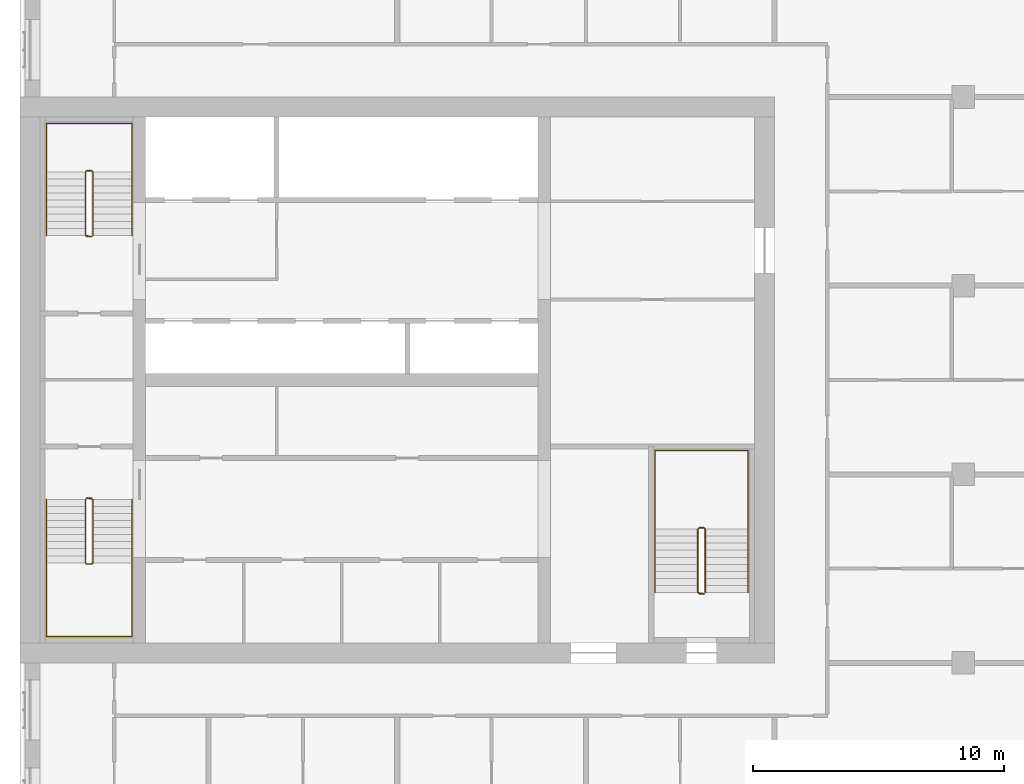
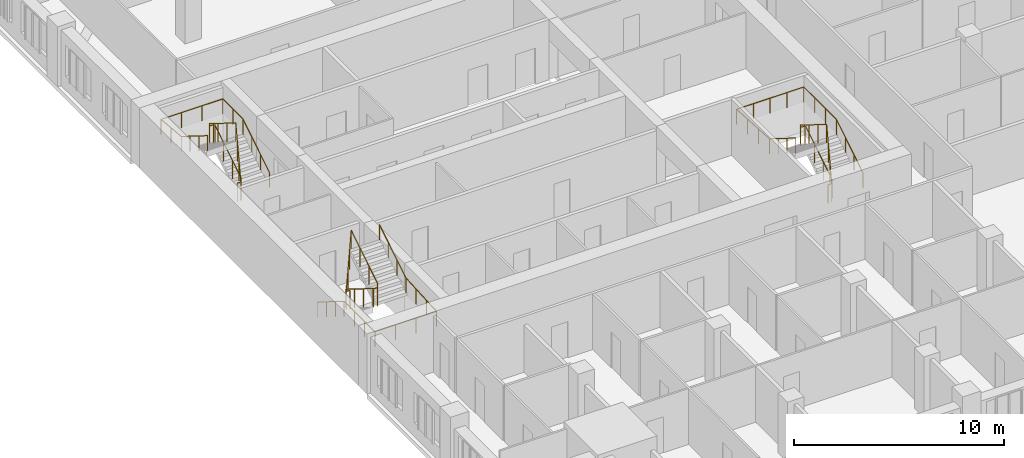
# One storey, part 14 of 14: 6 railings.
"""IFC4 building model written with IfcOpenShell, lengths in metres."""

from ifc_helpers import new_model, si_unit, direction, frame, origin, origin_2d, place, context, subcontext, project, spatial, circle, extrude, material, type_object, element, save


model = new_model("IFC4")

# Units and contexts
model_context = context("Model", 3, precision=1e-05, world=origin(), true_north=direction((0.0, 1.0)))
body_context = subcontext(model_context, "Body", "Model", "MODEL_VIEW")
ifc_project = project(units=[si_unit("LENGTHUNIT", "METRE"), si_unit("AREAUNIT", "SQUARE_METRE"), si_unit("VOLUMEUNIT", "CUBIC_METRE"), si_unit("PLANEANGLEUNIT", "RADIAN"), si_unit("MASSUNIT", "GRAM", prefix="KILO")], contexts=[model_context])

# Site, building, storey
site_placement = place(None, origin())
site = spatial("IfcSite", under=ifc_project, at=site_placement, CompositionType="ELEMENT")
building_placement = place(site_placement, origin())
building = spatial("IfcBuilding", under=site, at=building_placement, Name="Tamorin Gate", CompositionType="ELEMENT")
storey_placement = place(building_placement, frame((0.0, 0.0, 186.199951171875)))
storey = spatial("IfcBuildingStorey", under=building, at=storey_placement, Name="L45", CompositionType="ELEMENT", Elevation=186.199951171875)

# Railings
ifc_material_1 = material(Name="Painted steel balustrade", Category="steel")
railing_type_1 = type_object("IfcRailingType", Name="Stair guard 1100", PredefinedType="GUARDRAIL", material=ifc_material_1)
railing_1_placement = place(storey_placement, frame((32.60009765625, 66.5, 0.175048828125)))
element("IfcRailing", 1, at=railing_1_placement, inside=storey, type_object=railing_type_1, Name="L45 ST1 stair guard 1", PredefinedType="GUARDRAIL", context=body_context, shape_type="SweptSolid", body=[
    extrude(circle(Radius=0.02392578125, at=origin_2d()), frame((0.0, 0.0, 1.076171875), z_axis=(0.0, -0.848007534815, 0.529984170421), x_axis=(1.0, 0.0, 0.0)), (0.0, 0.0, 1.0), 2.9716796875),
    extrude(circle(Radius=0.02392578125, at=origin_2d()), frame((0.0, -2.52001953125, 2.65087890625), z_axis=(0.705375805398, -0.708833529934, 0.0), x_axis=(0.708833529934, 0.705375805398, 0.0)), (0.0, 0.0, 1.0), 0.070556640625),
    extrude(circle(Radius=0.02392578125, at=origin_2d()), frame((0.0498046875, -2.570068359375, 2.65087890625), z_axis=(1.0, 0.0, 0.0), x_axis=(0.0, 1.0, 0.0)), (0.0, 0.0, 1.0), 0.2001953125),
    extrude(circle(Radius=0.02392578125, at=origin_2d()), frame((0.25, -2.570068359375, 2.65087890625), z_axis=(0.263862480399, 0.265155923931, 0.927399011991), x_axis=(-0.708833529934, 0.705375805398, 0.0)), (0.0, 0.0, 1.0), 0.188720703125),
    extrude(circle(Radius=0.02392578125, at=origin_2d()), frame((0.2998046875, -2.52001953125, 2.826171875), z_axis=(0.0, 0.848007534815, 0.529984170421), x_axis=(-1.0, 0.0, 0.0)), (0.0, 0.0, 1.0), 2.9716796875),
    extrude(circle(Radius=0.02392578125, at=origin_2d()), frame((0.2998046875, 0.0, 4.40087890625), z_axis=(-0.071239803756, 0.014261874775, -0.997357252587), x_axis=(-0.196300278283, -0.98054382908, 0.0)), (0.0, 0.0, 1.0), 3.50927734375),
    extrude(circle(Radius=0.02392578125, at=origin_2d()), frame((0.0498046875, 0.050048828125, 0.90087890625), z_axis=(1.0, 0.0, 0.0), x_axis=(0.0, 1.0, 0.0)), (0.0, 0.0, 1.0), 0.2001953125),
    extrude(circle(Radius=0.02099609375, at=origin_2d()), origin(), (0.0, 0.0, 1.0), 1.052001953125),
    extrude(circle(Radius=0.02099609375, at=origin_2d()), frame((0.0, -0.840087890625, 0.52490234375)), (0.0, 0.0, 1.0), 1.052001953125),
    extrude(circle(Radius=0.02099609375, at=origin_2d()), frame((0.0, -1.679931640625, 1.050048828125)), (0.0, 0.0, 1.0), 1.052001953125),
    extrude(circle(Radius=0.02099609375, at=origin_2d()), frame((0.0, -2.52001953125, 1.574951171875)), (0.0, 0.0, 1.0), 1.052001953125),
    extrude(circle(Radius=0.02099609375, at=origin_2d()), frame((0.0498046875, -2.570068359375, 1.574951171875)), (0.0, 0.0, 1.0), 1.052001953125),
    extrude(circle(Radius=0.02099609375, at=origin_2d()), frame((0.25, -2.570068359375, 1.574951171875)), (0.0, 0.0, 1.0), 1.052001953125),
    extrude(circle(Radius=0.02099609375, at=origin_2d()), frame((0.2998046875, -2.52001953125, 1.75)), (0.0, 0.0, 1.0), 1.052001953125),
    extrude(circle(Radius=0.02099609375, at=origin_2d()), frame((0.2998046875, -1.679931640625, 2.27490234375)), (0.0, 0.0, 1.0), 1.052001953125),
    extrude(circle(Radius=0.02099609375, at=origin_2d()), frame((0.2998046875, -0.840087890625, 2.800048828125)), (0.0, 0.0, 1.0), 1.052001953125),
    extrude(circle(Radius=0.02099609375, at=origin_2d()), frame((0.2998046875, 0.0, 3.324951171875)), (0.0, 0.0, 1.0), 1.052001953125),
    extrude(circle(Radius=0.02099609375, at=origin_2d()), frame((0.216552734375, 0.0166015625, 2.158203125)), (0.0, 0.0, 1.0), 1.052001953125),
    extrude(circle(Radius=0.02099609375, at=origin_2d()), frame((0.133056640625, 0.033447265625, 0.99169921875)), (0.0, 0.0, 1.0), 1.052001953125),
    extrude(circle(Radius=0.02099609375, at=origin_2d()), frame((0.0498046875, 0.050048828125, -0.175048828125)), (0.0, 0.0, 1.0), 1.052001953125),
    extrude(circle(Radius=0.02099609375, at=origin_2d()), frame((0.25, 0.050048828125, -0.175048828125)), (0.0, 0.0, 1.0), 1.052001953125),
])
railing_2_placement = place(storey_placement, frame((32.89990234375, 77.0, 0.175048828125)))
element("IfcRailing", 2, at=railing_2_placement, inside=storey, type_object=railing_type_1, Name="L45 ST2 stair guard 1", PredefinedType="GUARDRAIL", context=body_context, shape_type="SweptSolid", body=[
    extrude(circle(Radius=0.02392578125, at=origin_2d()), frame((0.0, 0.0, 1.076171875), z_axis=(0.0, 0.848007534815, 0.529984170421), x_axis=(-1.0, 0.0, 0.0)), (0.0, 0.0, 1.0), 2.9716796875),
    extrude(circle(Radius=0.02392578125, at=origin_2d()), frame((0.0, 2.52001953125, 2.65087890625), z_axis=(-0.705375805398, 0.708833529934, 0.0), x_axis=(-0.708833529934, -0.705375805398, 0.0)), (0.0, 0.0, 1.0), 0.070556640625),
    extrude(circle(Radius=0.02392578125, at=origin_2d()), frame((-0.0498046875, 2.570068359375, 2.65087890625), z_axis=(-1.0, 0.0, 0.0), x_axis=(0.0, -1.0, 0.0)), (0.0, 0.0, 1.0), 0.2001953125),
    extrude(circle(Radius=0.02392578125, at=origin_2d()), frame((-0.25, 2.570068359375, 2.65087890625), z_axis=(-0.263862480399, -0.265155923931, 0.927399011991), x_axis=(0.708833529934, -0.705375805398, 0.0)), (0.0, 0.0, 1.0), 0.188720703125),
    extrude(circle(Radius=0.02392578125, at=origin_2d()), frame((-0.2998046875, 2.52001953125, 2.826171875), z_axis=(0.0, -0.848007534815, 0.529984170421), x_axis=(1.0, 0.0, 0.0)), (0.0, 0.0, 1.0), 2.9716796875),
    extrude(circle(Radius=0.02392578125, at=origin_2d()), frame((-0.2998046875, 0.0, 4.40087890625), z_axis=(0.071239803756, -0.014261874775, -0.997357252587), x_axis=(0.196300278283, 0.98054382908, 0.0)), (0.0, 0.0, 1.0), 3.50927734375),
    extrude(circle(Radius=0.02392578125, at=origin_2d()), frame((-0.0498046875, -0.050048828125, 0.90087890625), z_axis=(-1.0, 0.0, 0.0), x_axis=(0.0, -1.0, 0.0)), (0.0, 0.0, 1.0), 0.2001953125),
    extrude(circle(Radius=0.02099609375, at=origin_2d()), origin(), (0.0, 0.0, 1.0), 1.052001953125),
    extrude(circle(Radius=0.02099609375, at=origin_2d()), frame((0.0, 0.840087890625, 0.52490234375)), (0.0, 0.0, 1.0), 1.052001953125),
    extrude(circle(Radius=0.02099609375, at=origin_2d()), frame((0.0, 1.679931640625, 1.050048828125)), (0.0, 0.0, 1.0), 1.052001953125),
    extrude(circle(Radius=0.02099609375, at=origin_2d()), frame((0.0, 2.52001953125, 1.574951171875)), (0.0, 0.0, 1.0), 1.052001953125),
    extrude(circle(Radius=0.02099609375, at=origin_2d()), frame((-0.0498046875, 2.570068359375, 1.574951171875)), (0.0, 0.0, 1.0), 1.052001953125),
    extrude(circle(Radius=0.02099609375, at=origin_2d()), frame((-0.25, 2.570068359375, 1.574951171875)), (0.0, 0.0, 1.0), 1.052001953125),
    extrude(circle(Radius=0.02099609375, at=origin_2d()), frame((-0.2998046875, 2.52001953125, 1.75)), (0.0, 0.0, 1.0), 1.052001953125),
    extrude(circle(Radius=0.02099609375, at=origin_2d()), frame((-0.2998046875, 1.679931640625, 2.27490234375)), (0.0, 0.0, 1.0), 1.052001953125),
    extrude(circle(Radius=0.02099609375, at=origin_2d()), frame((-0.2998046875, 0.840087890625, 2.800048828125)), (0.0, 0.0, 1.0), 1.052001953125),
    extrude(circle(Radius=0.02099609375, at=origin_2d()), frame((-0.2998046875, 0.0, 3.324951171875)), (0.0, 0.0, 1.0), 1.052001953125),
    extrude(circle(Radius=0.02099609375, at=origin_2d()), frame((-0.216552734375, -0.0166015625, 2.158203125)), (0.0, 0.0, 1.0), 1.052001953125),
    extrude(circle(Radius=0.02099609375, at=origin_2d()), frame((-0.133056640625, -0.033447265625, 0.99169921875)), (0.0, 0.0, 1.0), 1.052001953125),
    extrude(circle(Radius=0.02099609375, at=origin_2d()), frame((-0.0498046875, -0.050048828125, -0.175048828125)), (0.0, 0.0, 1.0), 1.052001953125),
    extrude(circle(Radius=0.02099609375, at=origin_2d()), frame((-0.25, -0.050048828125, -0.175048828125)), (0.0, 0.0, 1.0), 1.052001953125),
])
railing_3_placement = place(storey_placement, frame((57.25, 62.800048828125, 0.175048828125)))
element("IfcRailing", 3, at=railing_3_placement, inside=storey, type_object=railing_type_1, Name="L45 ST3 stair guard 1", PredefinedType="GUARDRAIL", context=body_context, shape_type="SweptSolid", body=[
    extrude(circle(Radius=0.02392578125, at=origin_2d()), frame((0.0, 0.0, 1.076171875), z_axis=(0.0, 0.848007534815, 0.529984170421), x_axis=(-1.0, 0.0, 0.0)), (0.0, 0.0, 1.0), 2.9716796875),
    extrude(circle(Radius=0.02392578125, at=origin_2d()), frame((0.0, 2.52001953125, 2.65087890625), z_axis=(-0.707106781187, 0.707106781187, 0.0), x_axis=(-0.707106781187, -0.707106781187, 0.0)), (0.0, 0.0, 1.0), 0.07080078125),
    extrude(circle(Radius=0.02392578125, at=origin_2d()), frame((-0.050048828125, 2.570068359375, 2.65087890625), z_axis=(-1.0, 0.0, 0.0), x_axis=(0.0, -1.0, 0.0)), (0.0, 0.0, 1.0), 0.199951171875),
    extrude(circle(Radius=0.02392578125, at=origin_2d()), frame((-0.25, 2.570068359375, 2.65087890625), z_axis=(-0.265065253269, -0.265065253269, 0.927081885822), x_axis=(0.707106781187, -0.707106781187, 0.0)), (0.0, 0.0, 1.0), 0.188720703125),
    extrude(circle(Radius=0.02392578125, at=origin_2d()), frame((-0.300048828125, 2.52001953125, 2.826171875), z_axis=(0.0, -0.848007534815, 0.529984170421), x_axis=(1.0, 0.0, 0.0)), (0.0, 0.0, 1.0), 2.9716796875),
    extrude(circle(Radius=0.02392578125, at=origin_2d()), frame((-0.300048828125, 0.0, 4.40087890625), z_axis=(0.071239803756, -0.014261874775, -0.997357252587), x_axis=(0.196300278283, 0.98054382908, 0.0)), (0.0, 0.0, 1.0), 3.50927734375),
    extrude(circle(Radius=0.02392578125, at=origin_2d()), frame((-0.050048828125, -0.050048828125, 0.90087890625), z_axis=(-1.0, 0.0, 0.0), x_axis=(0.0, -1.0, 0.0)), (0.0, 0.0, 1.0), 0.199951171875),
    extrude(circle(Radius=0.02099609375, at=origin_2d()), origin(), (0.0, 0.0, 1.0), 1.052001953125),
    extrude(circle(Radius=0.02099609375, at=origin_2d()), frame((0.0, 0.840087890625, 0.52490234375)), (0.0, 0.0, 1.0), 1.052001953125),
    extrude(circle(Radius=0.02099609375, at=origin_2d()), frame((0.0, 1.679931640625, 1.050048828125)), (0.0, 0.0, 1.0), 1.052001953125),
    extrude(circle(Radius=0.02099609375, at=origin_2d()), frame((0.0, 2.52001953125, 1.574951171875)), (0.0, 0.0, 1.0), 1.052001953125),
    extrude(circle(Radius=0.02099609375, at=origin_2d()), frame((-0.050048828125, 2.570068359375, 1.574951171875)), (0.0, 0.0, 1.0), 1.052001953125),
    extrude(circle(Radius=0.02099609375, at=origin_2d()), frame((-0.25, 2.570068359375, 1.574951171875)), (0.0, 0.0, 1.0), 1.052001953125),
    extrude(circle(Radius=0.02099609375, at=origin_2d()), frame((-0.300048828125, 2.52001953125, 1.75)), (0.0, 0.0, 1.0), 1.052001953125),
    extrude(circle(Radius=0.02099609375, at=origin_2d()), frame((-0.300048828125, 1.679931640625, 2.27490234375)), (0.0, 0.0, 1.0), 1.052001953125),
    extrude(circle(Radius=0.02099609375, at=origin_2d()), frame((-0.300048828125, 0.840087890625, 2.800048828125)), (0.0, 0.0, 1.0), 1.052001953125),
    extrude(circle(Radius=0.02099609375, at=origin_2d()), frame((-0.300048828125, 0.0, 3.324951171875)), (0.0, 0.0, 1.0), 1.052001953125),
    extrude(circle(Radius=0.02099609375, at=origin_2d()), frame((-0.216796875, -0.0166015625, 2.158203125)), (0.0, 0.0, 1.0), 1.052001953125),
    extrude(circle(Radius=0.02099609375, at=origin_2d()), frame((-0.13330078125, -0.033447265625, 0.99169921875)), (0.0, 0.0, 1.0), 1.052001953125),
    extrude(circle(Radius=0.02099609375, at=origin_2d()), frame((-0.050048828125, -0.050048828125, -0.175048828125)), (0.0, 0.0, 1.0), 1.052001953125),
    extrude(circle(Radius=0.02099609375, at=origin_2d()), frame((-0.25, -0.050048828125, -0.175048828125)), (0.0, 0.0, 1.0), 1.052001953125),
])
ifc_material_2 = material(Name="Painted steel handrail", Category="steel")
railing_type_2 = type_object("IfcRailingType", Name="Stair handrail 900", PredefinedType="HANDRAIL", material=ifc_material_2)
railing_4_placement = place(storey_placement, frame((31.050048828125, 66.5, 0.175048828125)))
element("IfcRailing", 4, at=railing_4_placement, inside=storey, type_object=railing_type_2, Name="L45 ST1 stair handrail 1", PredefinedType="HANDRAIL", context=body_context, shape_type="SweptSolid", body=[
    extrude(circle(Radius=0.02392578125, at=origin_2d()), frame((0.0, 0.0, 0.8759765625), z_axis=(0.0, -0.848007534815, 0.529984170421), x_axis=(1.0, 0.0, 0.0)), (0.0, 0.0, 1.0), 2.9716796875),
    extrude(circle(Radius=0.02392578125, at=origin_2d()), frame((0.0, -2.52001953125, 2.45068359375), z_axis=(0.0, -1.0, 0.0), x_axis=(1.0, 0.0, 0.0)), (0.0, 0.0, 1.0), 2.929931640625),
    extrude(circle(Radius=0.02392578125, at=origin_2d()), frame((0.0, -5.449951171875, 2.45068359375), z_axis=(1.0, 0.0, 0.0), x_axis=(0.0, 1.0, 0.0)), (0.0, 0.0, 1.0), 3.39990234375),
    extrude(circle(Radius=0.02392578125, at=origin_2d()), frame((3.39990234375, -5.449951171875, 2.45068359375), z_axis=(0.0, 0.998220029962, 0.0596386769), x_axis=(-1.0, 0.0, 0.0)), (0.0, 0.0, 1.0), 2.93505859375),
    extrude(circle(Radius=0.02392578125, at=origin_2d()), frame((3.39990234375, -2.52001953125, 2.6259765625), z_axis=(0.0, 0.848007534815, 0.529984170421), x_axis=(-1.0, 0.0, 0.0)), (0.0, 0.0, 1.0), 2.9716796875),
    extrude(circle(Radius=0.02099609375, at=origin_2d()), origin(), (0.0, 0.0, 1.0), 0.851806640625),
    extrude(circle(Radius=0.02099609375, at=origin_2d()), frame((0.0, -0.840087890625, 0.52490234375)), (0.0, 0.0, 1.0), 0.851806640625),
    extrude(circle(Radius=0.02099609375, at=origin_2d()), frame((0.0, -1.679931640625, 1.050048828125)), (0.0, 0.0, 1.0), 0.851806640625),
    extrude(circle(Radius=0.02099609375, at=origin_2d()), frame((0.0, -2.52001953125, 1.574951171875)), (0.0, 0.0, 1.0), 0.851806640625),
    extrude(circle(Radius=0.02099609375, at=origin_2d()), frame((0.0, -3.49658203125, 1.574951171875)), (0.0, 0.0, 1.0), 0.851806640625),
    extrude(circle(Radius=0.02099609375, at=origin_2d()), frame((0.0, -4.473388671875, 1.574951171875)), (0.0, 0.0, 1.0), 0.851806640625),
    extrude(circle(Radius=0.02099609375, at=origin_2d()), frame((0.0, -5.449951171875, 1.574951171875)), (0.0, 0.0, 1.0), 0.851806640625),
    extrude(circle(Radius=0.02099609375, at=origin_2d()), frame((1.13330078125, -5.449951171875, 1.574951171875)), (0.0, 0.0, 1.0), 0.851806640625),
    extrude(circle(Radius=0.02099609375, at=origin_2d()), frame((2.2666015625, -5.449951171875, 1.574951171875)), (0.0, 0.0, 1.0), 0.851806640625),
    extrude(circle(Radius=0.02099609375, at=origin_2d()), frame((3.39990234375, -5.449951171875, 1.574951171875)), (0.0, 0.0, 1.0), 0.851806640625),
    extrude(circle(Radius=0.02099609375, at=origin_2d()), frame((3.39990234375, -4.473388671875, 1.63330078125)), (0.0, 0.0, 1.0), 0.851806640625),
    extrude(circle(Radius=0.02099609375, at=origin_2d()), frame((3.39990234375, -3.49658203125, 1.691650390625)), (0.0, 0.0, 1.0), 0.851806640625),
    extrude(circle(Radius=0.02099609375, at=origin_2d()), frame((3.39990234375, -2.52001953125, 1.75)), (0.0, 0.0, 1.0), 0.851806640625),
    extrude(circle(Radius=0.02099609375, at=origin_2d()), frame((3.39990234375, -1.679931640625, 2.27490234375)), (0.0, 0.0, 1.0), 0.851806640625),
    extrude(circle(Radius=0.02099609375, at=origin_2d()), frame((3.39990234375, -0.840087890625, 2.800048828125)), (0.0, 0.0, 1.0), 0.851806640625),
    extrude(circle(Radius=0.02099609375, at=origin_2d()), frame((3.39990234375, 0.0, 3.324951171875)), (0.0, 0.0, 1.0), 0.851806640625),
])
railing_5_placement = place(storey_placement, frame((34.449951171875, 77.0, 0.175048828125)))
element("IfcRailing", 5, at=railing_5_placement, inside=storey, type_object=railing_type_2, Name="L45 ST2 stair handrail 1", PredefinedType="HANDRAIL", context=body_context, shape_type="SweptSolid", body=[
    extrude(circle(Radius=0.02392578125, at=origin_2d()), frame((0.0, 0.0, 0.8759765625), z_axis=(0.0, 0.848007534815, 0.529984170421), x_axis=(-1.0, 0.0, 0.0)), (0.0, 0.0, 1.0), 2.9716796875),
    extrude(circle(Radius=0.02392578125, at=origin_2d()), frame((0.0, 2.52001953125, 2.45068359375), z_axis=(0.0, 1.0, 0.0), x_axis=(-1.0, 0.0, 0.0)), (0.0, 0.0, 1.0), 1.929931640625),
    extrude(circle(Radius=0.02392578125, at=origin_2d()), frame((0.0, 4.449951171875, 2.45068359375), z_axis=(-1.0, 0.0, 0.0), x_axis=(0.0, -1.0, 0.0)), (0.0, 0.0, 1.0), 3.39990234375),
    extrude(circle(Radius=0.02392578125, at=origin_2d()), frame((-3.39990234375, 4.449951171875, 2.45068359375), z_axis=(0.0, -0.995911773435, 0.090331276604), x_axis=(1.0, 0.0, 0.0)), (0.0, 0.0, 1.0), 1.937744140625),
    extrude(circle(Radius=0.02392578125, at=origin_2d()), frame((-3.39990234375, 2.52001953125, 2.6259765625), z_axis=(0.0, -0.848007534815, 0.529984170421), x_axis=(1.0, 0.0, 0.0)), (0.0, 0.0, 1.0), 2.9716796875),
    extrude(circle(Radius=0.02099609375, at=origin_2d()), origin(), (0.0, 0.0, 1.0), 0.851806640625),
    extrude(circle(Radius=0.02099609375, at=origin_2d()), frame((0.0, 0.840087890625, 0.52490234375)), (0.0, 0.0, 1.0), 0.851806640625),
    extrude(circle(Radius=0.02099609375, at=origin_2d()), frame((0.0, 1.679931640625, 1.050048828125)), (0.0, 0.0, 1.0), 0.851806640625),
    extrude(circle(Radius=0.02099609375, at=origin_2d()), frame((0.0, 2.52001953125, 1.574951171875)), (0.0, 0.0, 1.0), 0.851806640625),
    extrude(circle(Radius=0.02099609375, at=origin_2d()), frame((0.0, 3.48486328125, 1.574951171875)), (0.0, 0.0, 1.0), 0.851806640625),
    extrude(circle(Radius=0.02099609375, at=origin_2d()), frame((0.0, 4.449951171875, 1.574951171875)), (0.0, 0.0, 1.0), 0.851806640625),
    extrude(circle(Radius=0.02099609375, at=origin_2d()), frame((-1.13330078125, 4.449951171875, 1.574951171875)), (0.0, 0.0, 1.0), 0.851806640625),
    extrude(circle(Radius=0.02099609375, at=origin_2d()), frame((-2.2666015625, 4.449951171875, 1.574951171875)), (0.0, 0.0, 1.0), 0.851806640625),
    extrude(circle(Radius=0.02099609375, at=origin_2d()), frame((-3.39990234375, 4.449951171875, 1.574951171875)), (0.0, 0.0, 1.0), 0.851806640625),
    extrude(circle(Radius=0.02099609375, at=origin_2d()), frame((-3.39990234375, 3.48486328125, 1.66259765625)), (0.0, 0.0, 1.0), 0.851806640625),
    extrude(circle(Radius=0.02099609375, at=origin_2d()), frame((-3.39990234375, 2.52001953125, 1.75)), (0.0, 0.0, 1.0), 0.851806640625),
    extrude(circle(Radius=0.02099609375, at=origin_2d()), frame((-3.39990234375, 1.679931640625, 2.27490234375)), (0.0, 0.0, 1.0), 0.851806640625),
    extrude(circle(Radius=0.02099609375, at=origin_2d()), frame((-3.39990234375, 0.840087890625, 2.800048828125)), (0.0, 0.0, 1.0), 0.851806640625),
    extrude(circle(Radius=0.02099609375, at=origin_2d()), frame((-3.39990234375, 0.0, 3.324951171875)), (0.0, 0.0, 1.0), 0.851806640625),
])
railing_6_placement = place(storey_placement, frame((58.949951171875, 62.800048828125, 0.175048828125)))
element("IfcRailing", 6, at=railing_6_placement, inside=storey, type_object=railing_type_2, Name="L45 ST3 stair handrail 1", PredefinedType="HANDRAIL", context=body_context, shape_type="SweptSolid", body=[
    extrude(circle(Radius=0.02392578125, at=origin_2d()), frame((0.0, 0.0, 0.8759765625), z_axis=(0.0, 0.848007534815, 0.529984170421), x_axis=(-1.0, 0.0, 0.0)), (0.0, 0.0, 1.0), 2.9716796875),
    extrude(circle(Radius=0.02392578125, at=origin_2d()), frame((0.0, 2.52001953125, 2.45068359375), z_axis=(0.0, 1.0, 0.0), x_axis=(-1.0, 0.0, 0.0)), (0.0, 0.0, 1.0), 3.1298828125),
    extrude(circle(Radius=0.02392578125, at=origin_2d()), frame((0.0, 5.64990234375, 2.45068359375), z_axis=(-1.0, 0.0, 0.0), x_axis=(0.0, -1.0, 0.0)), (0.0, 0.0, 1.0), 3.699951171875),
    extrude(circle(Radius=0.02392578125, at=origin_2d()), frame((-3.699951171875, 5.64990234375, 2.45068359375), z_axis=(0.0, -0.998439675676, 0.055840970941), x_axis=(1.0, 0.0, 0.0)), (0.0, 0.0, 1.0), 3.134765625),
    extrude(circle(Radius=0.02392578125, at=origin_2d()), frame((-3.699951171875, 2.52001953125, 2.6259765625), z_axis=(0.0, -0.848007534815, 0.529984170421), x_axis=(1.0, 0.0, 0.0)), (0.0, 0.0, 1.0), 2.9716796875),
    extrude(circle(Radius=0.02099609375, at=origin_2d()), origin(), (0.0, 0.0, 1.0), 0.851806640625),
    extrude(circle(Radius=0.02099609375, at=origin_2d()), frame((0.0, 0.840087890625, 0.52490234375)), (0.0, 0.0, 1.0), 0.851806640625),
    extrude(circle(Radius=0.02099609375, at=origin_2d()), frame((0.0, 1.679931640625, 1.050048828125)), (0.0, 0.0, 1.0), 0.851806640625),
    extrude(circle(Radius=0.02099609375, at=origin_2d()), frame((0.0, 2.52001953125, 1.574951171875)), (0.0, 0.0, 1.0), 0.851806640625),
    extrude(circle(Radius=0.02099609375, at=origin_2d()), frame((0.0, 3.563232421875, 1.574951171875)), (0.0, 0.0, 1.0), 0.851806640625),
    extrude(circle(Radius=0.02099609375, at=origin_2d()), frame((0.0, 4.606689453125, 1.574951171875)), (0.0, 0.0, 1.0), 0.851806640625),
    extrude(circle(Radius=0.02099609375, at=origin_2d()), frame((0.0, 5.64990234375, 1.574951171875)), (0.0, 0.0, 1.0), 0.851806640625),
    extrude(circle(Radius=0.02099609375, at=origin_2d()), frame((-0.925048828125, 5.64990234375, 1.574951171875)), (0.0, 0.0, 1.0), 0.851806640625),
    extrude(circle(Radius=0.02099609375, at=origin_2d()), frame((-1.85009765625, 5.64990234375, 1.574951171875)), (0.0, 0.0, 1.0), 0.851806640625),
    extrude(circle(Radius=0.02099609375, at=origin_2d()), frame((-2.77490234375, 5.64990234375, 1.574951171875)), (0.0, 0.0, 1.0), 0.851806640625),
    extrude(circle(Radius=0.02099609375, at=origin_2d()), frame((-3.699951171875, 5.64990234375, 1.574951171875)), (0.0, 0.0, 1.0), 0.851806640625),
    extrude(circle(Radius=0.02099609375, at=origin_2d()), frame((-3.699951171875, 4.606689453125, 1.63330078125)), (0.0, 0.0, 1.0), 0.851806640625),
    extrude(circle(Radius=0.02099609375, at=origin_2d()), frame((-3.699951171875, 3.563232421875, 1.691650390625)), (0.0, 0.0, 1.0), 0.851806640625),
    extrude(circle(Radius=0.02099609375, at=origin_2d()), frame((-3.699951171875, 2.52001953125, 1.75)), (0.0, 0.0, 1.0), 0.851806640625),
    extrude(circle(Radius=0.02099609375, at=origin_2d()), frame((-3.699951171875, 1.679931640625, 2.27490234375)), (0.0, 0.0, 1.0), 0.851806640625),
    extrude(circle(Radius=0.02099609375, at=origin_2d()), frame((-3.699951171875, 0.840087890625, 2.800048828125)), (0.0, 0.0, 1.0), 0.851806640625),
    extrude(circle(Radius=0.02099609375, at=origin_2d()), frame((-3.699951171875, 0.0, 3.324951171875)), (0.0, 0.0, 1.0), 0.851806640625),
])

save(model, "model.ifc")
